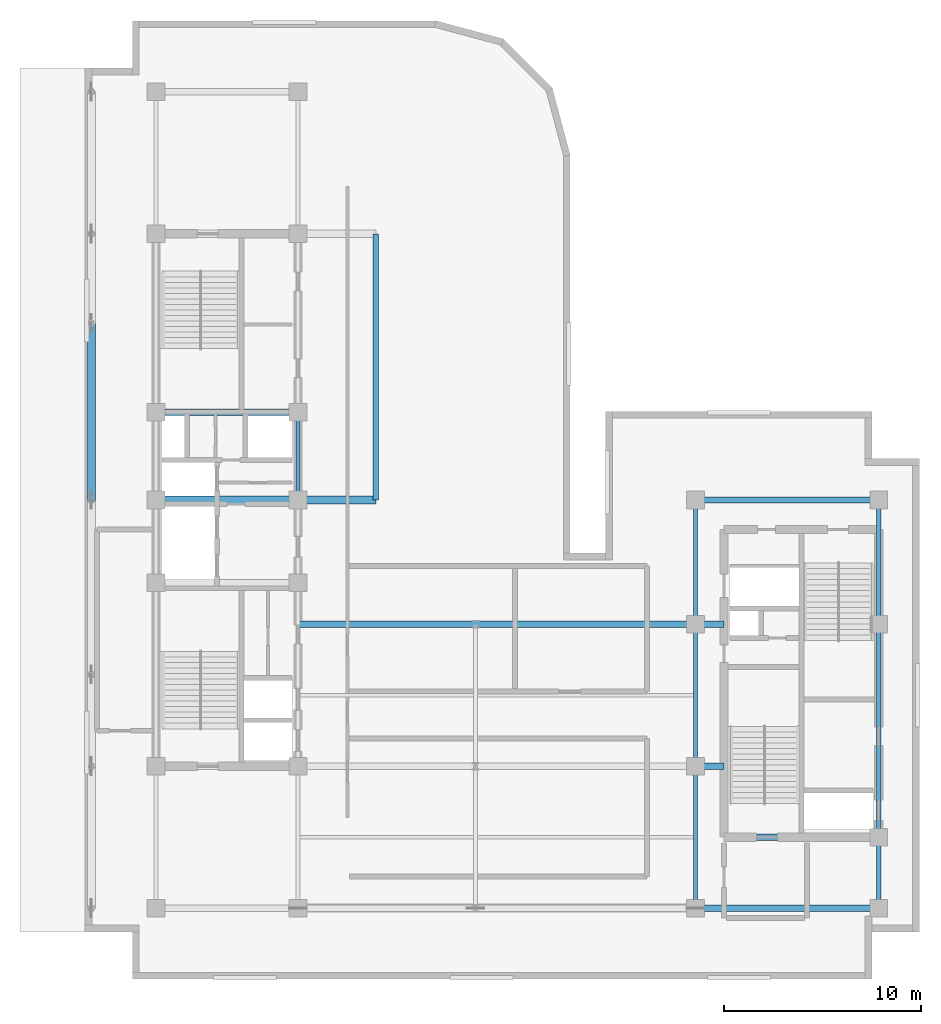
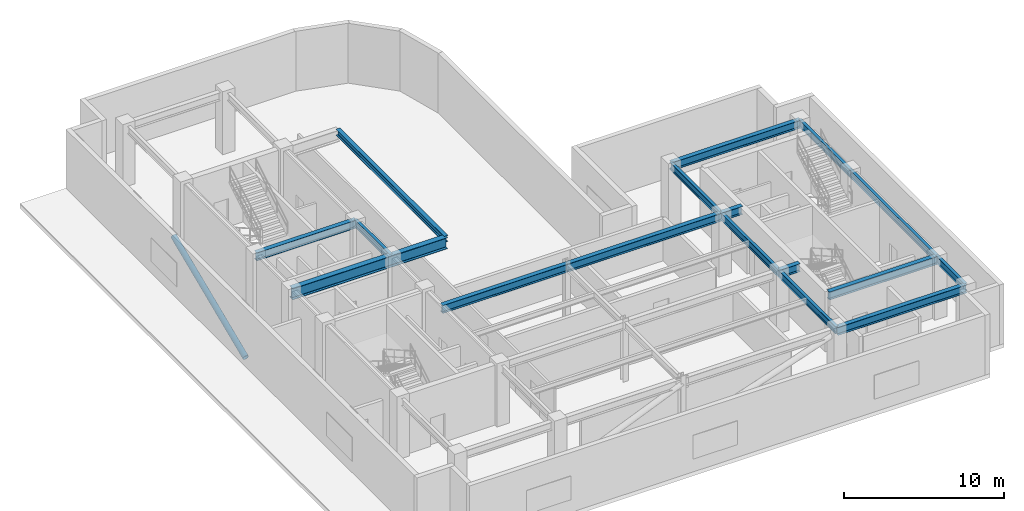
# One storey, part 4 of 13: 17 beams, 1 member.
"""IFC4 building model written with IfcOpenShell, lengths in metres."""

from ifc_helpers import new_model, entity, si_unit, converted_unit, direction, frame, origin_with_axes, origin_2d_with_axis, place, context, subcontext, project, spatial, hollow_circle, i_section, extrude, material, material_profile, profile_set, type_object, element, save


model = new_model("IFC4")

# Units and contexts
model_context = context("Model", 3, precision=1e-05, world=origin_with_axes(), true_north=direction((0.0, 1.0)))
body_context = subcontext(model_context, "Body", "Model", "MODEL_VIEW")
ifc_project = project(units=[si_unit("LENGTHUNIT", "METRE"), si_unit("AREAUNIT", "SQUARE_METRE"), si_unit("VOLUMEUNIT", "CUBIC_METRE"), converted_unit("PLANEANGLEUNIT", "DEGREE", entity("IfcPlaneAngleMeasure", 0.017453292519943295), si_unit("PLANEANGLEUNIT", "RADIAN"), dimensions=[0, 0, 0, 0, 0, 0, 0]), si_unit("MASSUNIT", "GRAM", prefix="KILO"), si_unit("THERMODYNAMICTEMPERATUREUNIT", "KELVIN")], contexts=[model_context])

# Site, building, storey
site_placement = place(None, origin_with_axes())
site = spatial("IfcSite", under=ifc_project, at=site_placement, CompositionType="ELEMENT")
building_placement = place(site_placement, origin_with_axes())
building = spatial("IfcBuilding", under=site, at=building_placement, Name="Varnlund Millrace Tower", CompositionType="ELEMENT")
storey_placement = place(building_placement, frame((0.0, 0.0, 248.1), z_axis=(0.0, 0.0, 1.0), x_axis=(1.0, 0.0, 0.0)))
storey = spatial("IfcBuildingStorey", under=building, at=storey_placement, Name="L61", CompositionType="ELEMENT", Elevation=248.1)

# Beams
ifc_material_1 = material(Name="Steel ASTM A992 Grade 50", Category="steel")
ifc_material_profile_1 = material_profile(ifc_material_1, i_section(OverallWidth=0.28, OverallDepth=0.463, WebThickness=0.0108, FlangeThickness=0.0173, FilletRadius=0.015, at=origin_2d_with_axis()), Name="Steel ASTM A992 Grade 50")
ifc_profile_set_1 = profile_set([ifc_material_profile_1], Name="Steel ASTM A992 Grade 50")
beam_type_1 = type_object("IfcBeamType", Name="Type-Beam-W18X76", PredefinedType="BEAM", material=ifc_profile_set_1)
beam_1_placement = place(storey_placement, frame((22.55, 24.3, 4.3285), z_axis=(0.0, 1.0, 0.0), x_axis=(-1.0, 0.0, 0.0)))
element("IfcBeam", 1, at=beam_1_placement, inside=storey, type_object=beam_type_1, Name="Type-Beam-W18X76", PredefinedType="BEAM", context=body_context, shape_type="SweptSolid", body=[
    extrude(i_section(OverallWidth=0.28, OverallDepth=0.463, WebThickness=0.0108, FlangeThickness=0.0173, FilletRadius=0.015, at=origin_2d_with_axis()), origin_with_axes(), (0.0, 0.0, 1.0), 13.5),
])
ifc_material_profile_2 = material_profile(ifc_material_1, i_section(OverallWidth=0.214, OverallDepth=0.549, WebThickness=0.0147, FlangeThickness=0.0236, FilletRadius=0.015, at=origin_2d_with_axis()), Name="Steel ASTM A992 Grade 50")
ifc_profile_set_2 = profile_set([ifc_material_profile_2], Name="Steel ASTM A992 Grade 50")
beam_type_2 = type_object("IfcBeamType", Name="Type-Beam-W21X93", PredefinedType="BEAM", material=ifc_profile_set_2)
beam_2_placement = place(storey_placement, frame((18.6, 24.3, 4.2855), z_axis=(0.0, 1.0, 0.0), x_axis=(-1.0, 0.0, 0.0)))
element("IfcBeam", 2, at=beam_2_placement, inside=storey, type_object=beam_type_2, Name="Type-Beam-W21X93", PredefinedType="BEAM", context=body_context, shape_type="SweptSolid", body=[
    extrude(i_section(OverallWidth=0.214, OverallDepth=0.549, WebThickness=0.0147, FlangeThickness=0.0236, FilletRadius=0.015, at=origin_2d_with_axis()), origin_with_axes(), (0.0, 0.0, 1.0), 4.45),
])
for number, where, z_axis, x_axis, name in (
    (3, (38.75, 3.6, 4.2855), (0.0, 1.0, 0.0), (-1.0, 0.0, 0.0), "Type-Beam-W21X93"),
    (4, (38.75, 10.8, 4.2855), (0.0, 1.0, 0.0), (-1.0, 0.0, 0.0), "Type-Beam-W21X93"),
):
    element("IfcBeam", number, at=place(storey_placement, frame(where, z_axis=z_axis, x_axis=x_axis)), inside=storey, type_object=beam_type_2, Name=name, PredefinedType="BEAM", context=body_context, shape_type="SweptSolid", body=[
        extrude(i_section(OverallWidth=0.214, OverallDepth=0.549, WebThickness=0.0147, FlangeThickness=0.0236, FilletRadius=0.015, at=origin_2d_with_axis()), origin_with_axes(), (0.0, 0.0, 1.0), 7.2),
    ])
beam_3_placement = place(storey_placement, frame((38.75, 18.0, 4.2855), z_axis=(0.0, 1.0, 0.0), x_axis=(-1.0, 0.0, 0.0)))
element("IfcBeam", 5, at=beam_3_placement, inside=storey, type_object=beam_type_2, Name="Type-Beam-W21X93", PredefinedType="BEAM", context=body_context, shape_type="SweptSolid", body=[
    extrude(i_section(OverallWidth=0.214, OverallDepth=0.549, WebThickness=0.0147, FlangeThickness=0.0236, FilletRadius=0.015, at=origin_2d_with_axis()), origin_with_axes(), (0.0, 0.0, 1.0), 6.3),
])
beam_4_placement = place(storey_placement, frame((48.05, 3.6, 4.2855), z_axis=(0.0, 1.0, 0.0), x_axis=(-1.0, 0.0, 0.0)))
element("IfcBeam", 6, at=beam_4_placement, inside=storey, type_object=beam_type_2, Name="Type-Beam-W21X93", PredefinedType="BEAM", context=body_context, shape_type="SweptSolid", body=[
    extrude(i_section(OverallWidth=0.214, OverallDepth=0.549, WebThickness=0.0147, FlangeThickness=0.0236, FilletRadius=0.015, at=origin_2d_with_axis()), origin_with_axes(), (0.0, 0.0, 1.0), 3.6),
])
beam_5_placement = place(storey_placement, frame((48.05, 7.2, 4.2855), z_axis=(0.0, 1.0, 0.0), x_axis=(-1.0, 0.0, 0.0)))
element("IfcBeam", 7, at=beam_5_placement, inside=storey, type_object=beam_type_2, Name="Type-Beam-W21X93", PredefinedType="BEAM", context=body_context, shape_type="SweptSolid", body=[
    extrude(i_section(OverallWidth=0.214, OverallDepth=0.549, WebThickness=0.0147, FlangeThickness=0.0236, FilletRadius=0.015, at=origin_2d_with_axis()), origin_with_axes(), (0.0, 0.0, 1.0), 10.8),
])
beam_6_placement = place(storey_placement, frame((48.05, 18.0, 4.2855), z_axis=(0.0, 1.0, 0.0), x_axis=(-1.0, 0.0, 0.0)))
element("IfcBeam", 8, at=beam_6_placement, inside=storey, type_object=beam_type_2, Name="Type-Beam-W21X93", PredefinedType="BEAM", context=body_context, shape_type="SweptSolid", body=[
    extrude(i_section(OverallWidth=0.214, OverallDepth=0.549, WebThickness=0.0147, FlangeThickness=0.0236, FilletRadius=0.015, at=origin_2d_with_axis()), origin_with_axes(), (0.0, 0.0, 1.0), 6.3),
])

# Member
ifc_material_2 = material(Name="Steel ASTM A500 Grade C", Category="steel")
ifc_material_profile_3 = material_profile(ifc_material_2, hollow_circle(Radius=0.203, WallThickness=0.0147, at=origin_2d_with_axis()), Name="Steel ASTM A500 Grade C")
ifc_profile_set_3 = profile_set([ifc_material_profile_3], Name="Steel ASTM A500 Grade C")
member_type = type_object("IfcMemberType", Name="Type-Belt-Brace-CHS406", PredefinedType="BRACE", material=ifc_profile_set_3)
member_placement = place(storey_placement, frame((8.12, 24.3, 0.35), z_axis=(0.0, 0.920861, 0.389891), x_axis=(-1.0, 0.0, 0.0)))
element("IfcMember", 9, at=member_placement, inside=storey, type_object=member_type, Name="Type-Belt-Brace-CHS406", PredefinedType="BRACE", context=body_context, shape_type="SweptSolid", body=[
    extrude(hollow_circle(Radius=0.203, WallThickness=0.0147, at=origin_2d_with_axis()), origin_with_axes(), (0.0, 0.0, 1.0), 9.746313),
])

# Beams
ifc_material_profile_4 = material_profile(ifc_material_1, i_section(OverallWidth=0.324, OverallDepth=0.611, WebThickness=0.0127, FlangeThickness=0.0191, FilletRadius=0.016, at=origin_2d_with_axis()), Name="Steel ASTM A992 Grade 50")
ifc_profile_set_4 = profile_set([ifc_material_profile_4], Name="Steel ASTM A992 Grade 50")
beam_type_3 = type_object("IfcBeamType", Name="Type-Girder-W24X104", PredefinedType="USERDEFINED", material=ifc_profile_set_4)
beam_7_placement = place(storey_placement, frame((38.75, 3.6, 4.2545), z_axis=(1.0, 0.0, 0.0), x_axis=(0.0, 1.0, 0.0)))
element("IfcBeam", 10, at=beam_7_placement, inside=storey, type_object=beam_type_3, Name="Type-Girder-W24X104", ObjectType="GIRDER", PredefinedType="USERDEFINED", context=body_context, shape_type="SweptSolid", body=[
    extrude(i_section(OverallWidth=0.324, OverallDepth=0.611, WebThickness=0.0127, FlangeThickness=0.0191, FilletRadius=0.016, at=origin_2d_with_axis()), origin_with_axes(), (0.0, 0.0, 1.0), 9.3),
])
beam_8_placement = place(storey_placement, frame((40.2, 7.2, 4.2545), z_axis=(1.0, 0.0, 0.0), x_axis=(0.0, 1.0, 0.0)))
element("IfcBeam", 11, at=beam_8_placement, inside=storey, type_object=beam_type_3, Name="Type-Girder-W24X104", ObjectType="GIRDER", PredefinedType="USERDEFINED", context=body_context, shape_type="SweptSolid", body=[
    extrude(i_section(OverallWidth=0.324, OverallDepth=0.611, WebThickness=0.0127, FlangeThickness=0.0191, FilletRadius=0.016, at=origin_2d_with_axis()), origin_with_axes(), (0.0, 0.0, 1.0), 7.85),
])
beam_9_placement = place(storey_placement, frame((38.75, 10.8, 4.2545), z_axis=(1.0, 0.0, 0.0), x_axis=(0.0, 1.0, 0.0)))
element("IfcBeam", 12, at=beam_9_placement, inside=storey, type_object=beam_type_3, Name="Type-Girder-W24X104", ObjectType="GIRDER", PredefinedType="USERDEFINED", context=body_context, shape_type="SweptSolid", body=[
    extrude(i_section(OverallWidth=0.324, OverallDepth=0.611, WebThickness=0.0127, FlangeThickness=0.0191, FilletRadius=0.016, at=origin_2d_with_axis()), origin_with_axes(), (0.0, 0.0, 1.0), 1.45),
])
beam_10_placement = place(storey_placement, frame((18.6, 18.0, 4.2545), z_axis=(1.0, 0.0, 0.0), x_axis=(0.0, 1.0, 0.0)))
element("IfcBeam", 13, at=beam_10_placement, inside=storey, type_object=beam_type_3, Name="Type-Girder-W24X104", ObjectType="GIRDER", PredefinedType="USERDEFINED", context=body_context, shape_type="SweptSolid", body=[
    extrude(i_section(OverallWidth=0.324, OverallDepth=0.611, WebThickness=0.0127, FlangeThickness=0.0191, FilletRadius=0.016, at=origin_2d_with_axis()), origin_with_axes(), (0.0, 0.0, 1.0), 9.0),
])
beam_11_placement = place(storey_placement, frame((27.6, 18.0, 4.2545), z_axis=(1.0, 0.0, 0.0), x_axis=(0.0, 1.0, 0.0)))
element("IfcBeam", 14, at=beam_11_placement, inside=storey, type_object=beam_type_3, Name="Type-Girder-W24X104", ObjectType="GIRDER", PredefinedType="USERDEFINED", context=body_context, shape_type="SweptSolid", body=[
    extrude(i_section(OverallWidth=0.324, OverallDepth=0.611, WebThickness=0.0127, FlangeThickness=0.0191, FilletRadius=0.016, at=origin_2d_with_axis()), origin_with_axes(), (0.0, 0.0, 1.0), 11.15),
])
beam_12_placement = place(storey_placement, frame((38.75, 18.0, 4.2545), z_axis=(1.0, 0.0, 0.0), x_axis=(0.0, 1.0, 0.0)))
element("IfcBeam", 15, at=beam_12_placement, inside=storey, type_object=beam_type_3, Name="Type-Girder-W24X104", ObjectType="GIRDER", PredefinedType="USERDEFINED", context=body_context, shape_type="SweptSolid", body=[
    extrude(i_section(OverallWidth=0.324, OverallDepth=0.611, WebThickness=0.0127, FlangeThickness=0.0191, FilletRadius=0.016, at=origin_2d_with_axis()), origin_with_axes(), (0.0, 0.0, 1.0), 1.45),
])
beam_13_placement = place(storey_placement, frame((38.75, 24.3, 4.2545), z_axis=(1.0, 0.0, 0.0), x_axis=(0.0, 1.0, 0.0)))
element("IfcBeam", 16, at=beam_13_placement, inside=storey, type_object=beam_type_3, Name="Type-Girder-W24X104", ObjectType="GIRDER", PredefinedType="USERDEFINED", context=body_context, shape_type="SweptSolid", body=[
    extrude(i_section(OverallWidth=0.324, OverallDepth=0.611, WebThickness=0.0127, FlangeThickness=0.0191, FilletRadius=0.016, at=origin_2d_with_axis()), origin_with_axes(), (0.0, 0.0, 1.0), 9.3),
])
beam_14_placement = place(storey_placement, frame((11.4, 28.75, 4.2545), z_axis=(1.0, 0.0, 0.0), x_axis=(0.0, 1.0, 0.0)))
element("IfcBeam", 17, at=beam_14_placement, inside=storey, type_object=beam_type_3, Name="Type-Girder-W24X104", ObjectType="GIRDER", PredefinedType="USERDEFINED", context=body_context, shape_type="SweptSolid", body=[
    extrude(i_section(OverallWidth=0.324, OverallDepth=0.611, WebThickness=0.0127, FlangeThickness=0.0191, FilletRadius=0.016, at=origin_2d_with_axis()), origin_with_axes(), (0.0, 0.0, 1.0), 7.2),
])
ifc_material_profile_5 = material_profile(ifc_material_1, i_section(OverallWidth=0.399, OverallDepth=0.855, WebThickness=0.0182, FlangeThickness=0.0292, FilletRadius=0.022, at=origin_2d_with_axis()), Name="Steel ASTM A992 Grade 50")
ifc_profile_set_5 = profile_set([ifc_material_profile_5], Name="Steel ASTM A992 Grade 50")
beam_type_4 = type_object("IfcBeamType", Name="Type-Girder-W33X201", PredefinedType="USERDEFINED", material=ifc_profile_set_5)
beam_15_placement = place(storey_placement, frame((11.4, 24.3, 4.1325), z_axis=(1.0, 0.0, 0.0), x_axis=(0.0, 1.0, 0.0)))
element("IfcBeam", 18, at=beam_15_placement, inside=storey, type_object=beam_type_4, Name="Type-Girder-W33X201", ObjectType="GIRDER", PredefinedType="USERDEFINED", context=body_context, shape_type="SweptSolid", body=[
    extrude(i_section(OverallWidth=0.399, OverallDepth=0.855, WebThickness=0.0182, FlangeThickness=0.0292, FilletRadius=0.022, at=origin_2d_with_axis()), origin_with_axes(), (0.0, 0.0, 1.0), 11.15),
])

save(model, "model.ifc")
